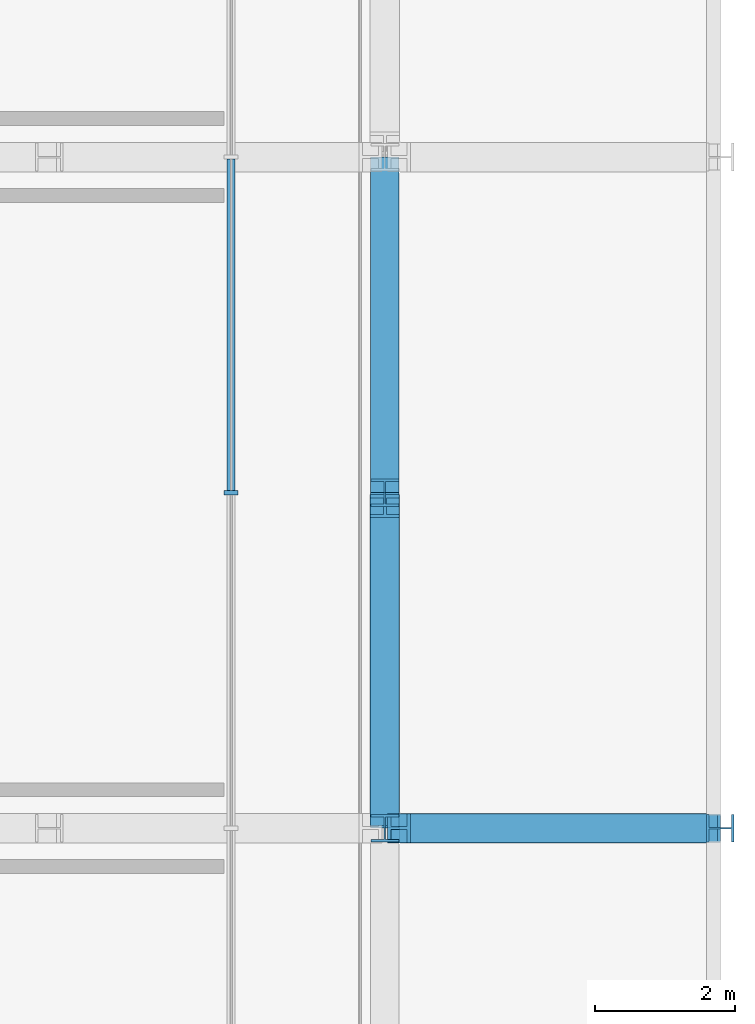
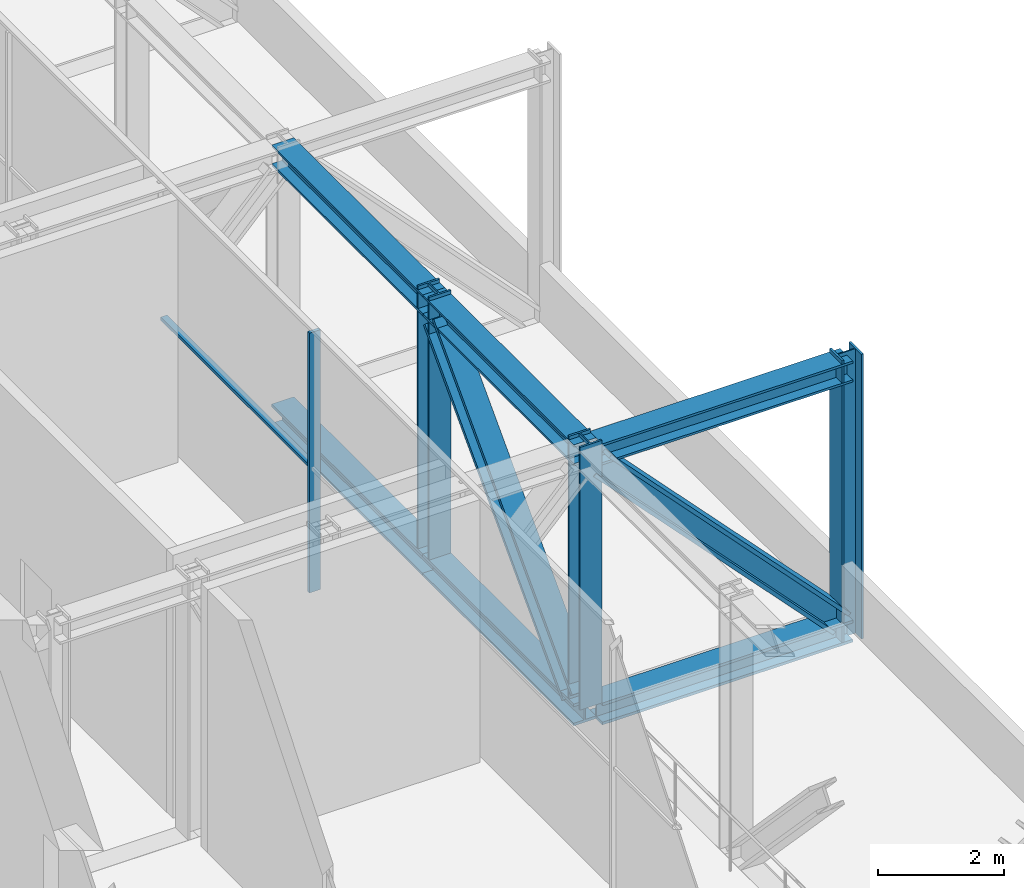
# One storey, part 10 of 26: 13 members, 1 element without a shape of its own.
"""IFC4 building model written with IfcOpenShell, lengths in metres."""

from ifc_helpers import new_model, si_unit, direction, frame, origin, origin_2d, place, context, subcontext, project, spatial, rectangle, i_section, extrude, material, layer, layer_set, material_profile, profile_set, type_object, element, aggregate, save


model = new_model("IFC4")

# Units and contexts
model_context = context("Model", 3, precision=1e-05, world=origin(), true_north=direction((0.0, 1.0)))
body_context = subcontext(model_context, "Body", "Model", "MODEL_VIEW")
ifc_project = project(units=[si_unit("LENGTHUNIT", "METRE"), si_unit("AREAUNIT", "SQUARE_METRE"), si_unit("VOLUMEUNIT", "CUBIC_METRE"), si_unit("PLANEANGLEUNIT", "RADIAN"), si_unit("MASSUNIT", "GRAM", prefix="KILO")], contexts=[model_context])

# Site, building, storey
site_placement = place(None, origin())
site = spatial("IfcSite", under=ifc_project, at=site_placement, CompositionType="ELEMENT")
building_placement = place(site_placement, origin())
building = spatial("IfcBuilding", under=site, at=building_placement, Name="Madar Terraces", CompositionType="ELEMENT")
storey_placement = place(building_placement, frame((0.0, 0.0, 233.300048828125)))
storey = spatial("IfcBuildingStorey", under=building, at=storey_placement, Name="L61", CompositionType="ELEMENT", Elevation=233.300048828125)

# Members
ifc_material_1 = material(Name="Steel ASTM A992 Grade 50", Category="steel")
ifc_material_profile_1 = material_profile(ifc_material_1, i_section(OverallWidth=0.408935546875, OverallDepth=0.424072265625, WebThickness=0.03271484375, FlangeThickness=0.052490234375, at=origin_2d()), Name="W14x283")
ifc_profile_set_1 = profile_set([ifc_material_profile_1], Name="Steel ASTM A992 Grade 50")
member_type_1 = type_object("IfcMemberType", Name="BC8 W14x283", PredefinedType="CHORD", material=ifc_profile_set_1)
member_1_placement = place(storey_placement, frame((57.60009765625, 28.800048828125, -0.2080078125), z_axis=(0.0, 1.0, 0.0), x_axis=(-1.0, 0.0, 0.0)))
element("IfcMember", 1, at=member_1_placement, inside=storey, type_object=member_type_1, Name="Exoskeleton truss ring bottom chord BC8", PredefinedType="CHORD", context=body_context, shape_type="SweptSolid", body=[
    extrude(i_section(OverallWidth=0.408935546875, OverallDepth=0.424072265625, WebThickness=0.03271484375, FlangeThickness=0.052490234375, at=origin_2d()), origin(), (0.0, 0.0, 1.0), 4.800048828125),
])
member_2_placement = place(storey_placement, frame((57.60009765625, 33.60009765625, -0.2080078125), z_axis=(0.0, 1.0, 0.0), x_axis=(-1.0, 0.0, 0.0)))
element("IfcMember", 2, at=member_2_placement, inside=storey, type_object=member_type_1, Name="Exoskeleton truss ring bottom chord BC8", PredefinedType="CHORD", context=body_context, shape_type="SweptSolid", body=[
    extrude(i_section(OverallWidth=0.408935546875, OverallDepth=0.424072265625, WebThickness=0.03271484375, FlangeThickness=0.052490234375, at=origin_2d()), origin(), (0.0, 0.0, 1.0), 4.7998046875),
])
member_3_placement = place(storey_placement, frame((62.39990234375, 28.800048828125, -0.2080078125), z_axis=(-1.0, 0.0, 0.0), x_axis=(0.0, -1.0, 0.0)))
element("IfcMember", 3, at=member_3_placement, inside=storey, type_object=member_type_1, Name="Exoskeleton truss cross E28.8 bottom chord BC8", PredefinedType="CHORD", context=body_context, shape_type="SweptSolid", body=[
    extrude(i_section(OverallWidth=0.408935546875, OverallDepth=0.424072265625, WebThickness=0.03271484375, FlangeThickness=0.052490234375, at=origin_2d()), origin(), (0.0, 0.0, 1.0), 4.595458984375),
])

# Curtain wall, members
ifc_material_2 = material(Name="Glass, ceramic frit dark grey, with black aluminium frame", Category="aluminium")
ifc_layer = layer(ifc_material_2, 0.199951171875)
ifc_layer_set = layer_set([ifc_layer], Name="Facade curtain wall, tall glazing")
curtain_wall_type = type_object("IfcCurtainWallType", Name="Facade curtain wall, tall glazing", PredefinedType="NOTDEFINED", material=ifc_layer_set)
curtain_wall_placement = place(storey_placement, origin())
curtain_wall = element("IfcCurtainWall", 4, at=curtain_wall_placement, inside=storey, type_object=curtain_wall_type, Name="Outer skin curtain wall east bay 1", PredefinedType="NOTDEFINED")
ifc_material_3 = material(Name="Aluminium, black anodised", Category="aluminium")
ifc_material_profile_2 = material_profile(ifc_material_3, rectangle(XDim=0.199951171875, YDim=0.06005859375, at=origin_2d()), Name="Facade mullion 60x200")
ifc_profile_set_2 = profile_set([ifc_material_profile_2], Name="Aluminium, black anodised")
member_type_2 = type_object("IfcMemberType", Name="Facade mullion 60x200", PredefinedType="MULLION", material=ifc_profile_set_2)
member_4_placement = place(storey_placement, frame((55.39990234375, 33.60009765625, 0.0), z_axis=(0.0, 0.0, 1.0), x_axis=(-1.0, 0.0, 0.0)))
member_4 = element("IfcMember", 5, at=member_4_placement, type_object=member_type_2, Name="Mullion 5", PredefinedType="MULLION", context=body_context, shape_type="SweptSolid", body=[
    extrude(rectangle(XDim=0.199951171875, YDim=0.06005859375, at=origin_2d()), origin(), (0.0, 0.0, 1.0), 5.0400390625),
])
ifc_material_4 = material(Name="Aluminium, black anodised", Category="aluminium")
ifc_material_profile_3 = material_profile(ifc_material_4, rectangle(XDim=0.1201171875, YDim=0.06005859375, at=origin_2d()), Name="Facade transom 60x120")
ifc_profile_set_3 = profile_set([ifc_material_profile_3], Name="Aluminium, black anodised")
member_type_3 = type_object("IfcMemberType", Name="Facade transom 60x120", PredefinedType="USERDEFINED", material=ifc_profile_set_3)
member_5_placement = place(storey_placement, frame((55.39990234375, 33.6298828125, 2.39990234375), z_axis=(0.0, 1.0, 0.0), x_axis=(-1.0, 0.0, 0.0)))
member_5 = element("IfcMember", 6, at=member_5_placement, type_object=member_type_3, Name="Transom 7", ObjectType="TRANSOM", PredefinedType="USERDEFINED", context=body_context, shape_type="SweptSolid", body=[
    extrude(rectangle(XDim=0.1201171875, YDim=0.06005859375, at=origin_2d()), origin(), (0.0, 0.0, 1.0), 4.740234375),
])
aggregate(curtain_wall, [member_4, member_5])

# Members
ifc_material_5 = material(Name="Steel ASTM A992 Grade 50", Category="steel")
ifc_material_profile_4 = material_profile(ifc_material_5, i_section(OverallWidth=0.40380859375, OverallDepth=0.406494140625, WebThickness=0.027099609375, FlangeThickness=0.043701171875, at=origin_2d()), Name="W14x233")
ifc_profile_set_4 = profile_set([ifc_material_profile_4], Name="Steel ASTM A992 Grade 50")
member_type_4 = type_object("IfcMemberType", Name="TC8 W14x233", PredefinedType="CHORD", material=ifc_profile_set_4)
member_6_placement = place(storey_placement, frame((57.60009765625, 28.800048828125, 4.82666015625), z_axis=(0.0, 1.0, 0.0), x_axis=(-1.0, 0.0, 0.0)))
element("IfcMember", 7, at=member_6_placement, inside=storey, type_object=member_type_4, Name="Exoskeleton truss ring top chord TC8", PredefinedType="CHORD", context=body_context, shape_type="SweptSolid", body=[
    extrude(i_section(OverallWidth=0.40380859375, OverallDepth=0.406494140625, WebThickness=0.027099609375, FlangeThickness=0.043701171875, at=origin_2d()), origin(), (0.0, 0.0, 1.0), 4.800048828125),
])
member_7_placement = place(storey_placement, frame((57.60009765625, 33.60009765625, 4.82666015625), z_axis=(0.0, 1.0, 0.0), x_axis=(-1.0, 0.0, 0.0)))
element("IfcMember", 8, at=member_7_placement, inside=storey, type_object=member_type_4, Name="Exoskeleton truss ring top chord TC8", PredefinedType="CHORD", context=body_context, shape_type="SweptSolid", body=[
    extrude(i_section(OverallWidth=0.40380859375, OverallDepth=0.406494140625, WebThickness=0.027099609375, FlangeThickness=0.043701171875, at=origin_2d()), origin(), (0.0, 0.0, 1.0), 4.7998046875),
])
member_8_placement = place(storey_placement, frame((62.39990234375, 28.800048828125, 4.82666015625), z_axis=(-1.0, 0.0, 0.0), x_axis=(0.0, -1.0, 0.0)))
element("IfcMember", 9, at=member_8_placement, inside=storey, type_object=member_type_4, Name="Exoskeleton truss cross E28.8 top chord TC8", PredefinedType="CHORD", context=body_context, shape_type="SweptSolid", body=[
    extrude(i_section(OverallWidth=0.40380859375, OverallDepth=0.406494140625, WebThickness=0.027099609375, FlangeThickness=0.043701171875, at=origin_2d()), origin(), (0.0, 0.0, 1.0), 4.597900390625),
])
ifc_material_6 = material(Name="Steel ASTM A992 Grade 50", Category="steel")
ifc_material_profile_5 = material_profile(ifc_material_6, i_section(OverallWidth=0.419189453125, OverallDepth=0.45458984375, WebThickness=0.042236328125, FlangeThickness=0.067626953125, at=origin_2d()), Name="W14x370")
ifc_profile_set_5 = profile_set([ifc_material_profile_5], Name="Steel ASTM A992 Grade 50")
member_type_5 = type_object("IfcMemberType", Name="TD8 W14x370", PredefinedType="BRACE", material=ifc_profile_set_5)
member_9_placement = place(storey_placement, frame((57.60009765625, 29.002197265625, 0.004150390625), z_axis=(0.0, 0.690036191516, 0.723774864442), x_axis=(-1.0, 0.0, 0.0)))
element("IfcMember", 10, at=member_9_placement, inside=storey, type_object=member_type_5, Name="Exoskeleton truss ring diagonal TD8", PredefinedType="BRACE", context=body_context, shape_type="SweptSolid", body=[
    extrude(i_section(OverallWidth=0.419189453125, OverallDepth=0.45458984375, WebThickness=0.042236328125, FlangeThickness=0.067626953125, at=origin_2d()), origin(), (0.0, 0.0, 1.0), 6.38232421875),
])
member_10_placement = place(storey_placement, frame((62.19775390625, 28.800048828125, 0.004150390625), z_axis=(-0.690033293208, 0.0, 0.723777627635), x_axis=(0.0, -1.0, 0.0)))
element("IfcMember", 11, at=member_10_placement, inside=storey, type_object=member_type_5, Name="Exoskeleton truss cross E28.8 diagonal TD8", PredefinedType="BRACE", context=body_context, shape_type="SweptSolid", body=[
    extrude(i_section(OverallWidth=0.419189453125, OverallDepth=0.45458984375, WebThickness=0.042236328125, FlangeThickness=0.067626953125, at=origin_2d()), origin(), (0.0, 0.0, 1.0), 6.36669921875),
])
ifc_material_7 = material(Name="Steel ASTM A992 Grade 50", Category="steel")
ifc_material_profile_6 = material_profile(ifc_material_7, i_section(OverallWidth=0.398681640625, OverallDepth=0.393798828125, WebThickness=0.022705078125, FlangeThickness=0.03662109375, at=origin_2d()), Name="W14x193")
ifc_profile_set_6 = profile_set([ifc_material_profile_6], Name="Steel ASTM A992 Grade 50")
member_type_6 = type_object("IfcMemberType", Name="TV8 W14x193", PredefinedType="POST", material=ifc_profile_set_6)
for number, where, z_axis, x_axis, name in (
    (12, (57.60009765625, 28.800048828125, 0.004150390625), (0.0, 0.0, 1.0), (-1.0, 0.0, 0.0), "Exoskeleton truss ring post TV8"),
    (13, (57.60009765625, 33.60009765625, 0.004150390625), (0.0, 0.0, 1.0), (-1.0, 0.0, 0.0), "Exoskeleton truss ring post TV8"),
):
    element("IfcMember", number, at=place(storey_placement, frame(where, z_axis=z_axis, x_axis=x_axis)), inside=storey, type_object=member_type_6, Name=name, PredefinedType="POST", context=body_context, shape_type="SweptSolid", body=[
        extrude(i_section(OverallWidth=0.398681640625, OverallDepth=0.393798828125, WebThickness=0.022705078125, FlangeThickness=0.03662109375, at=origin_2d()), origin(), (0.0, 0.0, 1.0), 5.095703125),
    ])
member_11_placement = place(storey_placement, frame((62.39990234375, 28.800048828125, -0.420166015625), z_axis=(0.0, 0.0, 1.0), x_axis=(0.0, 1.0, 0.0)))
element("IfcMember", 14, at=member_11_placement, inside=storey, type_object=member_type_6, Name="Exoskeleton truss cross E28.8 post TV8", PredefinedType="POST", context=body_context, shape_type="SweptSolid", body=[
    extrude(i_section(OverallWidth=0.398681640625, OverallDepth=0.393798828125, WebThickness=0.022705078125, FlangeThickness=0.03662109375, at=origin_2d()), origin(), (0.0, 0.0, 1.0), 5.52001953125),
])

save(model, "model.ifc")
